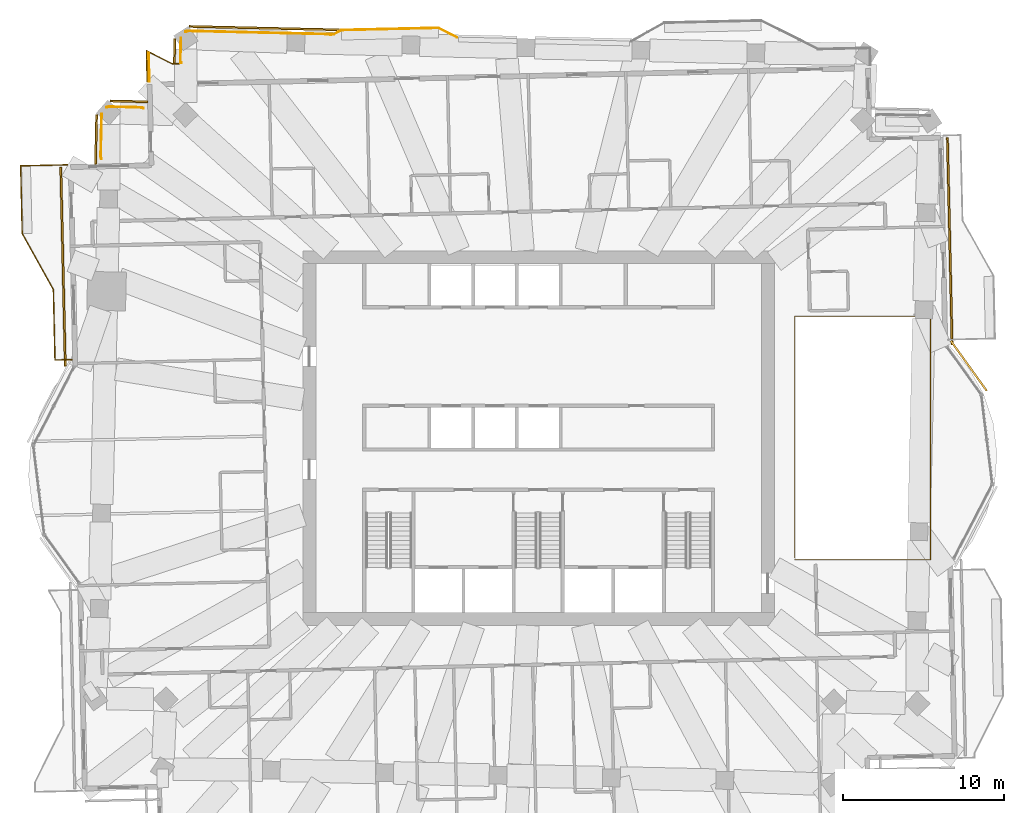
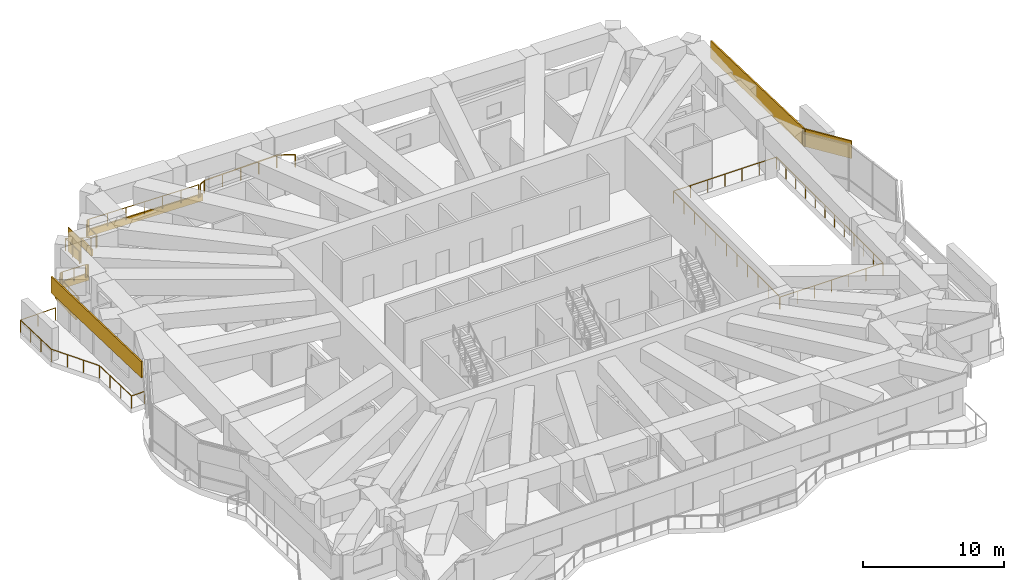
# One storey, part 18 of 19: 8 railings, 7 coverings, 1 shading device.
"""IFC4 building model written with IfcOpenShell, lengths in metres."""

from ifc_helpers import new_model, si_unit, direction, frame, frame_2d, origin, origin_2d, place, context, subcontext, project, spatial, rectangle, extrude, material, layer, layer_set, type_object, element, save


model = new_model("IFC4")

# Units and contexts
model_context = context("Model", 3, precision=1e-05, world=origin(), true_north=direction((0.0, 1.0)))
body_context = subcontext(model_context, "Body", "Model", "MODEL_VIEW")
ifc_project = project(units=[si_unit("LENGTHUNIT", "METRE"), si_unit("AREAUNIT", "SQUARE_METRE"), si_unit("VOLUMEUNIT", "CUBIC_METRE"), si_unit("PLANEANGLEUNIT", "RADIAN"), si_unit("MASSUNIT", "GRAM", prefix="KILO")], contexts=[model_context])

# Site, building, storey
site_placement = place(None, origin())
site = spatial("IfcSite", under=ifc_project, at=site_placement, CompositionType="ELEMENT")
building_placement = place(site_placement, origin())
building = spatial("IfcBuilding", under=site, at=building_placement, Name="Mangrove Gate Tower", CompositionType="ELEMENT")
storey_placement = place(building_placement, frame((0.0, 0.0, 226.5)))
storey = spatial("IfcBuildingStorey", under=building, at=storey_placement, Name="L57", CompositionType="ELEMENT", Elevation=226.5)

# Railings
ifc_material_1 = material(Name="Stainless steel grade 316 with laminated glass infill", Category="steel")
railing_type = type_object("IfcRailingType", Name="Balcony guard 1100", PredefinedType="GUARDRAIL", material=ifc_material_1)
railing_1_placement = place(storey_placement, frame((-5.050048828125, 24.820068359375, 0.0)))
element("IfcRailing", 1, at=railing_1_placement, inside=storey, type_object=railing_type, Name="GUARD L57 N2", PredefinedType="GUARDRAIL", context=body_context, shape_type="SweptSolid", body=[
    extrude(rectangle(XDim=0.048095703125, YDim=0.048095703125, at=origin_2d()), frame((0.0, 0.0, 1.076171875), z_axis=(-0.894577111724, 0.446913628321, 0.0), x_axis=(-0.446913628321, -0.894577111724, 0.0)), (0.0, 0.0, 1.0), 1.30224609375),
    extrude(rectangle(XDim=0.048095703125, YDim=0.048095703125, at=origin_2d()), frame((-1.1650390625, 0.58203125, 1.076171875), z_axis=(-0.999743073592, -0.022666865795, 0.0), x_axis=(0.022666865795, -0.999743073592, 0.0)), (0.0, 0.0, 1.0), 5.999267578125),
    extrude(rectangle(XDim=0.048095703125, YDim=0.048095703125, at=origin_2d()), frame((-7.162841796875, 0.446044921875, 1.076171875), z_axis=(-0.87313527032, -0.487477999219, 0.0), x_axis=(0.487477999219, -0.87313527032, 0.0)), (0.0, 0.0, 1.0), 0.5419921875),
    extrude(rectangle(XDim=0.0419921875, YDim=0.0419921875, at=origin_2d()), origin(), (0.0, 0.0, 1.0), 1.052001953125),
    extrude(rectangle(XDim=0.0419921875, YDim=0.0419921875, at=origin_2d()), frame((-1.1650390625, 0.58203125, 0.0)), (0.0, 0.0, 1.0), 1.052001953125),
    extrude(rectangle(XDim=0.0419921875, YDim=0.0419921875, at=origin_2d()), frame((-2.66455078125, 0.548095703125, 0.0)), (0.0, 0.0, 1.0), 1.052001953125),
    extrude(rectangle(XDim=0.0419921875, YDim=0.0419921875, at=origin_2d()), frame((-4.1640625, 0.51416015625, 0.0)), (0.0, 0.0, 1.0), 1.052001953125),
    extrude(rectangle(XDim=0.0419921875, YDim=0.0419921875, at=origin_2d()), frame((-5.663330078125, 0.47998046875, 0.0)), (0.0, 0.0, 1.0), 1.052001953125),
    extrude(rectangle(XDim=0.0419921875, YDim=0.0419921875, at=origin_2d()), frame((-7.162841796875, 0.446044921875, 0.0)), (0.0, 0.0, 1.0), 1.052001953125),
    extrude(rectangle(XDim=0.0419921875, YDim=0.0419921875, at=origin_2d()), frame((-7.635986328125, 0.181884765625, 0.0)), (0.0, 0.0, 1.0), 1.052001953125),
])
railing_2_placement = place(storey_placement, frame((-22.26611328125, 23.18701171875, 0.0)))
element("IfcRailing", 2, at=railing_2_placement, inside=storey, type_object=railing_type, Name="GUARD L57 N3", PredefinedType="GUARDRAIL", context=body_context, shape_type="SweptSolid", body=[
    extrude(rectangle(XDim=0.048095703125, YDim=0.048095703125, at=origin_2d()), frame((0.0, 0.0, 1.076171875), z_axis=(-0.999748671457, -0.022418606572, 0.0), x_axis=(0.022418606572, -0.999748671457, 0.0)), (0.0, 0.0, 1.0), 0.40283203125),
    extrude(rectangle(XDim=0.048095703125, YDim=0.048095703125, at=origin_2d()), frame((-0.40283203125, -0.009033203125, 1.076171875), z_axis=(-0.894211744323, 0.447644229623, 0.0), x_axis=(-0.447644229623, -0.894211744323, 0.0)), (0.0, 0.0, 1.0), 1.81396484375),
    extrude(rectangle(XDim=0.048095703125, YDim=0.048095703125, at=origin_2d()), frame((-2.02490234375, 0.802978515625, 1.076171875), z_axis=(0.022515084401, -0.999746503357, 0.0), x_axis=(0.999746503357, 0.022515084401, 0.0)), (0.0, 0.0, 1.0), 1.908447265625),
    extrude(rectangle(XDim=0.0419921875, YDim=0.0419921875, at=origin_2d()), origin(), (0.0, 0.0, 1.0), 1.052001953125),
    extrude(rectangle(XDim=0.0419921875, YDim=0.0419921875, at=origin_2d()), frame((-0.40283203125, -0.009033203125, 0.0)), (0.0, 0.0, 1.0), 1.052001953125),
    extrude(rectangle(XDim=0.0419921875, YDim=0.0419921875, at=origin_2d()), frame((-1.2138671875, 0.39697265625, 0.0)), (0.0, 0.0, 1.0), 1.052001953125),
    extrude(rectangle(XDim=0.0419921875, YDim=0.0419921875, at=origin_2d()), frame((-2.02490234375, 0.802978515625, 0.0)), (0.0, 0.0, 1.0), 1.052001953125),
    extrude(rectangle(XDim=0.0419921875, YDim=0.0419921875, at=origin_2d()), frame((-2.00341796875, -0.15087890625, 0.0)), (0.0, 0.0, 1.0), 1.052001953125),
    extrude(rectangle(XDim=0.0419921875, YDim=0.0419921875, at=origin_2d()), frame((-1.98193359375, -1.10498046875, 0.0)), (0.0, 0.0, 1.0), 1.052001953125),
])
railing_3_placement = place(storey_placement, frame((-29.173095703125, 16.928955078125, 0.0)))
element("IfcRailing", 3, at=railing_3_placement, inside=storey, type_object=railing_type, Name="GUARD L57 W1", PredefinedType="GUARDRAIL", context=body_context, shape_type="SweptSolid", body=[
    extrude(rectangle(XDim=0.048095703125, YDim=0.048095703125, at=origin_2d()), frame((0.0, 0.0, 1.076171875), z_axis=(-0.999743349437, -0.022654696127, 0.0), x_axis=(0.022654696127, -0.999743349437, 0.0)), (0.0, 0.0, 1.0), 2.90966796875),
    extrude(rectangle(XDim=0.048095703125, YDim=0.048095703125, at=origin_2d()), frame((-2.908935546875, -0.06591796875, 1.076171875), z_axis=(0.022611811187, -0.999744320311, 0.0), x_axis=(0.999744320311, 0.022611811187, 0.0)), (0.0, 0.0, 1.0), 4.199951171875),
    extrude(rectangle(XDim=0.048095703125, YDim=0.048095703125, at=origin_2d()), frame((-2.81396484375, -4.264892578125, 1.076171875), z_axis=(0.48726008209, -0.87325689943, 0.0), x_axis=(0.87325689943, 0.48726008209, 0.0)), (0.0, 0.0, 1.0), 3.958740234375),
    extrude(rectangle(XDim=0.048095703125, YDim=0.048095703125, at=origin_2d()), frame((-0.885009765625, -7.721923828125, 1.076171875), z_axis=(0.022883688867, -0.999738134105, 0.0), x_axis=(0.999738134105, 0.022883688867, 0.0)), (0.0, 0.0, 1.0), 4.374267578125),
    extrude(rectangle(XDim=0.048095703125, YDim=0.048095703125, at=origin_2d()), frame((-0.784912109375, -12.094970703125, 1.076171875), z_axis=(0.999744919731, 0.022585293253, 0.0), x_axis=(-0.022585293253, 0.999744919731, 0.0)), (0.0, 0.0, 1.0), 1.059326171875),
    extrude(rectangle(XDim=0.0419921875, YDim=0.0419921875, at=origin_2d()), origin(), (0.0, 0.0, 1.0), 1.052001953125),
    extrude(rectangle(XDim=0.0419921875, YDim=0.0419921875, at=origin_2d()), frame((-1.45458984375, -0.032958984375, 0.0)), (0.0, 0.0, 1.0), 1.052001953125),
    extrude(rectangle(XDim=0.0419921875, YDim=0.0419921875, at=origin_2d()), frame((-2.908935546875, -0.06591796875, 0.0)), (0.0, 0.0, 1.0), 1.052001953125),
    extrude(rectangle(XDim=0.0419921875, YDim=0.0419921875, at=origin_2d()), frame((-2.877197265625, -1.465576171875, 0.0)), (0.0, 0.0, 1.0), 1.052001953125),
    extrude(rectangle(XDim=0.0419921875, YDim=0.0419921875, at=origin_2d()), frame((-2.845703125, -2.865234375, 0.0)), (0.0, 0.0, 1.0), 1.052001953125),
    extrude(rectangle(XDim=0.0419921875, YDim=0.0419921875, at=origin_2d()), frame((-2.81396484375, -4.264892578125, 0.0)), (0.0, 0.0, 1.0), 1.052001953125),
    extrude(rectangle(XDim=0.0419921875, YDim=0.0419921875, at=origin_2d()), frame((-2.1708984375, -5.417236328125, 0.0)), (0.0, 0.0, 1.0), 1.052001953125),
    extrude(rectangle(XDim=0.0419921875, YDim=0.0419921875, at=origin_2d()), frame((-1.528076171875, -6.569580078125, 0.0)), (0.0, 0.0, 1.0), 1.052001953125),
    extrude(rectangle(XDim=0.0419921875, YDim=0.0419921875, at=origin_2d()), frame((-0.885009765625, -7.721923828125, 0.0)), (0.0, 0.0, 1.0), 1.052001953125),
    extrude(rectangle(XDim=0.0419921875, YDim=0.0419921875, at=origin_2d()), frame((-0.8515625, -9.1796875, 0.0)), (0.0, 0.0, 1.0), 1.052001953125),
    extrude(rectangle(XDim=0.0419921875, YDim=0.0419921875, at=origin_2d()), frame((-0.818359375, -10.63720703125, 0.0)), (0.0, 0.0, 1.0), 1.052001953125),
    extrude(rectangle(XDim=0.0419921875, YDim=0.0419921875, at=origin_2d()), frame((-0.784912109375, -12.094970703125, 0.0)), (0.0, 0.0, 1.0), 1.052001953125),
    extrude(rectangle(XDim=0.0419921875, YDim=0.0419921875, at=origin_2d()), frame((0.274169921875, -12.071044921875, 0.0)), (0.0, 0.0, 1.0), 1.052001953125),
])
railing_4_placement = place(storey_placement, frame((15.860107421875, -7.5400390625, 0.0)))
element("IfcRailing", 4, at=railing_4_placement, inside=storey, type_object=railing_type, Name="GUARD L57 atrium", PredefinedType="GUARDRAIL", context=body_context, shape_type="SweptSolid", body=[
    extrude(rectangle(XDim=0.048095703125, YDim=0.048095703125, at=origin_2d()), frame((0.0, 0.0, 1.076171875), z_axis=(1.0, 0.0, 0.0), x_axis=(0.0, 1.0, 0.0)), (0.0, 0.0, 1.0), 8.406982421875),
    extrude(rectangle(XDim=0.048095703125, YDim=0.048095703125, at=origin_2d()), frame((8.406982421875, 0.0, 1.076171875), z_axis=(0.0, 1.0, 0.0), x_axis=(-1.0, 0.0, 0.0)), (0.0, 0.0, 1.0), 15.080078125),
    extrude(rectangle(XDim=0.048095703125, YDim=0.048095703125, at=origin_2d()), frame((8.406982421875, 15.080078125, 1.076171875), z_axis=(-1.0, 0.0, 0.0), x_axis=(0.0, -1.0, 0.0)), (0.0, 0.0, 1.0), 8.406982421875),
    extrude(rectangle(XDim=0.048095703125, YDim=0.048095703125, at=origin_2d()), frame((0.0, 15.080078125, 1.076171875), z_axis=(0.0, -1.0, 0.0), x_axis=(1.0, 0.0, 0.0)), (0.0, 0.0, 1.0), 14.9599609375),
    extrude(rectangle(XDim=0.0419921875, YDim=0.0419921875, at=origin_2d()), origin(), (0.0, 0.0, 1.0), 1.052001953125),
    extrude(rectangle(XDim=0.0419921875, YDim=0.0419921875, at=origin_2d()), frame((1.401123046875, 0.0, 0.0)), (0.0, 0.0, 1.0), 1.052001953125),
    extrude(rectangle(XDim=0.0419921875, YDim=0.0419921875, at=origin_2d()), frame((2.80224609375, 0.0, 0.0)), (0.0, 0.0, 1.0), 1.052001953125),
    extrude(rectangle(XDim=0.0419921875, YDim=0.0419921875, at=origin_2d()), frame((4.20361328125, 0.0, 0.0)), (0.0, 0.0, 1.0), 1.052001953125),
    extrude(rectangle(XDim=0.0419921875, YDim=0.0419921875, at=origin_2d()), frame((5.604736328125, 0.0, 0.0)), (0.0, 0.0, 1.0), 1.052001953125),
    extrude(rectangle(XDim=0.0419921875, YDim=0.0419921875, at=origin_2d()), frame((7.005859375, 0.0, 0.0)), (0.0, 0.0, 1.0), 1.052001953125),
    extrude(rectangle(XDim=0.0419921875, YDim=0.0419921875, at=origin_2d()), frame((8.406982421875, 0.0, 0.0)), (0.0, 0.0, 1.0), 1.052001953125),
    extrude(rectangle(XDim=0.0419921875, YDim=0.0419921875, at=origin_2d()), frame((8.406982421875, 1.370849609375, 0.0)), (0.0, 0.0, 1.0), 1.052001953125),
    extrude(rectangle(XDim=0.0419921875, YDim=0.0419921875, at=origin_2d()), frame((8.406982421875, 2.741943359375, 0.0)), (0.0, 0.0, 1.0), 1.052001953125),
    extrude(rectangle(XDim=0.0419921875, YDim=0.0419921875, at=origin_2d()), frame((8.406982421875, 4.11279296875, 0.0)), (0.0, 0.0, 1.0), 1.052001953125),
    extrude(rectangle(XDim=0.0419921875, YDim=0.0419921875, at=origin_2d()), frame((8.406982421875, 5.483642578125, 0.0)), (0.0, 0.0, 1.0), 1.052001953125),
    extrude(rectangle(XDim=0.0419921875, YDim=0.0419921875, at=origin_2d()), frame((8.406982421875, 6.8544921875, 0.0)), (0.0, 0.0, 1.0), 1.052001953125),
    extrude(rectangle(XDim=0.0419921875, YDim=0.0419921875, at=origin_2d()), frame((8.406982421875, 8.2255859375, 0.0)), (0.0, 0.0, 1.0), 1.052001953125),
    extrude(rectangle(XDim=0.0419921875, YDim=0.0419921875, at=origin_2d()), frame((8.406982421875, 9.596435546875, 0.0)), (0.0, 0.0, 1.0), 1.052001953125),
    extrude(rectangle(XDim=0.0419921875, YDim=0.0419921875, at=origin_2d()), frame((8.406982421875, 10.96728515625, 0.0)), (0.0, 0.0, 1.0), 1.052001953125),
    extrude(rectangle(XDim=0.0419921875, YDim=0.0419921875, at=origin_2d()), frame((8.406982421875, 12.338134765625, 0.0)), (0.0, 0.0, 1.0), 1.052001953125),
    extrude(rectangle(XDim=0.0419921875, YDim=0.0419921875, at=origin_2d()), frame((8.406982421875, 13.709228515625, 0.0)), (0.0, 0.0, 1.0), 1.052001953125),
    extrude(rectangle(XDim=0.0419921875, YDim=0.0419921875, at=origin_2d()), frame((8.406982421875, 15.080078125, 0.0)), (0.0, 0.0, 1.0), 1.052001953125),
    extrude(rectangle(XDim=0.0419921875, YDim=0.0419921875, at=origin_2d()), frame((7.005859375, 15.080078125, 0.0)), (0.0, 0.0, 1.0), 1.052001953125),
    extrude(rectangle(XDim=0.0419921875, YDim=0.0419921875, at=origin_2d()), frame((5.604736328125, 15.080078125, 0.0)), (0.0, 0.0, 1.0), 1.052001953125),
    extrude(rectangle(XDim=0.0419921875, YDim=0.0419921875, at=origin_2d()), frame((4.20361328125, 15.080078125, 0.0)), (0.0, 0.0, 1.0), 1.052001953125),
    extrude(rectangle(XDim=0.0419921875, YDim=0.0419921875, at=origin_2d()), frame((2.80224609375, 15.080078125, 0.0)), (0.0, 0.0, 1.0), 1.052001953125),
    extrude(rectangle(XDim=0.0419921875, YDim=0.0419921875, at=origin_2d()), frame((1.401123046875, 15.080078125, 0.0)), (0.0, 0.0, 1.0), 1.052001953125),
    extrude(rectangle(XDim=0.0419921875, YDim=0.0419921875, at=origin_2d()), frame((0.0, 15.080078125, 0.0)), (0.0, 0.0, 1.0), 1.052001953125),
    extrude(rectangle(XDim=0.0419921875, YDim=0.0419921875, at=origin_2d()), frame((0.0, 13.583984375, 0.0)), (0.0, 0.0, 1.0), 1.052001953125),
    extrude(rectangle(XDim=0.0419921875, YDim=0.0419921875, at=origin_2d()), frame((0.0, 12.088134765625, 0.0)), (0.0, 0.0, 1.0), 1.052001953125),
    extrude(rectangle(XDim=0.0419921875, YDim=0.0419921875, at=origin_2d()), frame((0.0, 10.592041015625, 0.0)), (0.0, 0.0, 1.0), 1.052001953125),
    extrude(rectangle(XDim=0.0419921875, YDim=0.0419921875, at=origin_2d()), frame((0.0, 9.09619140625, 0.0)), (0.0, 0.0, 1.0), 1.052001953125),
    extrude(rectangle(XDim=0.0419921875, YDim=0.0419921875, at=origin_2d()), frame((0.0, 7.60009765625, 0.0)), (0.0, 0.0, 1.0), 1.052001953125),
    extrude(rectangle(XDim=0.0419921875, YDim=0.0419921875, at=origin_2d()), frame((0.0, 6.10400390625, 0.0)), (0.0, 0.0, 1.0), 1.052001953125),
    extrude(rectangle(XDim=0.0419921875, YDim=0.0419921875, at=origin_2d()), frame((0.0, 4.608154296875, 0.0)), (0.0, 0.0, 1.0), 1.052001953125),
    extrude(rectangle(XDim=0.0419921875, YDim=0.0419921875, at=origin_2d()), frame((0.0, 3.112060546875, 0.0)), (0.0, 0.0, 1.0), 1.052001953125),
    extrude(rectangle(XDim=0.0419921875, YDim=0.0419921875, at=origin_2d()), frame((0.0, 1.6162109375, 0.0)), (0.0, 0.0, 1.0), 1.052001953125),
    extrude(rectangle(XDim=0.0419921875, YDim=0.0419921875, at=origin_2d()), frame((0.0, 0.1201171875, 0.0)), (0.0, 0.0, 1.0), 1.052001953125),
])
railing_5_placement = place(storey_placement, frame((-21.860107421875, 25.166015625, 0.0)))
element("IfcRailing", 5, at=railing_5_placement, inside=storey, type_object=railing_type, Name="GUARD L57 T2.1", PredefinedType="GUARDRAIL", context=body_context, shape_type="SweptSolid", body=[
    extrude(rectangle(XDim=0.048095703125, YDim=0.048095703125, at=origin_2d()), frame((0.0, 0.0, 1.076171875), z_axis=(0.916361402872, 0.400352069216, 0.0), x_axis=(-0.400352069216, 0.916361402872, 0.0)), (0.0, 0.0, 1.0), 0.02734375),
    extrude(rectangle(XDim=0.048095703125, YDim=0.048095703125, at=origin_2d()), frame((0.025146484375, 0.010986328125, 1.076171875), z_axis=(0.945686599305, 0.325079768511, 0.0), x_axis=(-0.325079768511, 0.945686599305, 0.0)), (0.0, 0.0, 1.0), 0.049560546875),
    extrude(rectangle(XDim=0.048095703125, YDim=0.048095703125, at=origin_2d()), frame((0.072021484375, 0.027099609375, 1.076171875), z_axis=(0.980002479743, 0.198985275075, 0.0), x_axis=(-0.198985275075, 0.980002479743, 0.0)), (0.0, 0.0, 1.0), 0.049072265625),
    extrude(rectangle(XDim=0.048095703125, YDim=0.048095703125, at=origin_2d()), frame((0.1201171875, 0.036865234375, 1.076171875), z_axis=(0.992043715201, 0.125893872487, 0.0), x_axis=(-0.125893872487, 0.992043715201, 0.0)), (0.0, 0.0, 1.0), 0.048583984375),
    extrude(rectangle(XDim=0.048095703125, YDim=0.048095703125, at=origin_2d()), frame((0.168212890625, 0.04296875, 1.076171875), z_axis=(0.999200958722, 0.039968038349, 0.0), x_axis=(-0.039968038349, 0.999200958722, 0.0)), (0.0, 0.0, 1.0), 0.048828125),
    extrude(rectangle(XDim=0.048095703125, YDim=0.048095703125, at=origin_2d()), frame((0.217041015625, 0.044921875, 1.076171875), z_axis=(0.999742787852, -0.022679465101, 0.0), x_axis=(0.022679465101, 0.999742787852, 0.0)), (0.0, 0.0, 1.0), 8.859375),
    extrude(rectangle(XDim=0.048095703125, YDim=0.048095703125, at=origin_2d()), frame((9.07421875, -0.156005859375, 1.076171875), z_axis=(-0.873222183063, -0.487322294797, 0.0), x_axis=(0.487322294797, -0.873222183063, 0.0)), (0.0, 0.0, 1.0), 0.0986328125),
    extrude(rectangle(XDim=0.0419921875, YDim=0.0419921875, at=origin_2d()), origin(), (0.0, 0.0, 1.0), 1.052001953125),
    extrude(rectangle(XDim=0.0419921875, YDim=0.0419921875, at=origin_2d()), frame((0.025146484375, 0.010986328125, 0.0)), (0.0, 0.0, 1.0), 1.052001953125),
    extrude(rectangle(XDim=0.0419921875, YDim=0.0419921875, at=origin_2d()), frame((0.072021484375, 0.027099609375, 0.0)), (0.0, 0.0, 1.0), 1.052001953125),
    extrude(rectangle(XDim=0.0419921875, YDim=0.0419921875, at=origin_2d()), frame((0.1201171875, 0.036865234375, 0.0)), (0.0, 0.0, 1.0), 1.052001953125),
    extrude(rectangle(XDim=0.0419921875, YDim=0.0419921875, at=origin_2d()), frame((0.168212890625, 0.04296875, 0.0)), (0.0, 0.0, 1.0), 1.052001953125),
    extrude(rectangle(XDim=0.0419921875, YDim=0.0419921875, at=origin_2d()), frame((0.217041015625, 0.044921875, 0.0)), (0.0, 0.0, 1.0), 1.052001953125),
    extrude(rectangle(XDim=0.0419921875, YDim=0.0419921875, at=origin_2d()), frame((1.693359375, 0.011474609375, 0.0)), (0.0, 0.0, 1.0), 1.052001953125),
    extrude(rectangle(XDim=0.0419921875, YDim=0.0419921875, at=origin_2d()), frame((3.16943359375, -0.02197265625, 0.0)), (0.0, 0.0, 1.0), 1.052001953125),
    extrude(rectangle(XDim=0.0419921875, YDim=0.0419921875, at=origin_2d()), frame((4.6455078125, -0.0556640625, 0.0)), (0.0, 0.0, 1.0), 1.052001953125),
    extrude(rectangle(XDim=0.0419921875, YDim=0.0419921875, at=origin_2d()), frame((6.121826171875, -0.089111328125, 0.0)), (0.0, 0.0, 1.0), 1.052001953125),
    extrude(rectangle(XDim=0.0419921875, YDim=0.0419921875, at=origin_2d()), frame((7.59814453125, -0.12255859375, 0.0)), (0.0, 0.0, 1.0), 1.052001953125),
    extrude(rectangle(XDim=0.0419921875, YDim=0.0419921875, at=origin_2d()), frame((9.07421875, -0.156005859375, 0.0)), (0.0, 0.0, 1.0), 1.052001953125),
    extrude(rectangle(XDim=0.0419921875, YDim=0.0419921875, at=origin_2d()), frame((8.988037109375, -0.2041015625, 0.0)), (0.0, 0.0, 1.0), 1.052001953125),
])
railing_6_placement = place(storey_placement, frame((-22.136962890625, 23.25, 0.0)))
element("IfcRailing", 6, at=railing_6_placement, inside=storey, type_object=railing_type, Name="GUARD L57 T2.2", PredefinedType="GUARDRAIL", context=body_context, shape_type="SweptSolid", body=[
    extrude(rectangle(XDim=0.048095703125, YDim=0.048095703125, at=origin_2d()), frame((0.0, 0.0, 1.076171875), z_axis=(-0.999809691461, -0.019508481785, 0.0), x_axis=(0.019508481785, -0.999809691461, 0.0)), (0.0, 0.0, 1.0), 0.050048828125),
    extrude(rectangle(XDim=0.048095703125, YDim=0.048095703125, at=origin_2d()), frame((-0.050048828125, -0.0009765625, 1.076171875), z_axis=(0.022371326641, 0.999749730555, 0.0), x_axis=(-0.999749730555, 0.022371326641, 0.0)), (0.0, 0.0, 1.0), 1.473388671875),
    extrude(rectangle(XDim=0.048095703125, YDim=0.048095703125, at=origin_2d()), frame((-0.01708984375, 1.471923828125, 1.076171875), z_axis=(0.084276225487, 0.996442430759, 0.0), x_axis=(-0.996442430759, 0.084276225487, 0.0)), (0.0, 0.0, 1.0), 0.04931640625),
    extrude(rectangle(XDim=0.0419921875, YDim=0.0419921875, at=origin_2d()), origin(), (0.0, 0.0, 1.0), 1.052001953125),
    extrude(rectangle(XDim=0.0419921875, YDim=0.0419921875, at=origin_2d()), frame((-0.050048828125, -0.0009765625, 0.0)), (0.0, 0.0, 1.0), 1.052001953125),
    extrude(rectangle(XDim=0.0419921875, YDim=0.0419921875, at=origin_2d()), frame((-0.01708984375, 1.471923828125, 0.0)), (0.0, 0.0, 1.0), 1.052001953125),
    extrude(rectangle(XDim=0.0419921875, YDim=0.0419921875, at=origin_2d()), frame((-0.012939453125, 1.52099609375, 0.0)), (0.0, 0.0, 1.0), 1.052001953125),
])
railing_7_placement = place(storey_placement, frame((-26.76806640625, 20.47607421875, 0.0)))
element("IfcRailing", 7, at=railing_7_placement, inside=storey, type_object=railing_type, Name="GUARD L57 T4.1", PredefinedType="GUARDRAIL", context=body_context, shape_type="SweptSolid", body=[
    extrude(rectangle(XDim=0.048095703125, YDim=0.048095703125, at=origin_2d()), frame((0.0, 0.0, 1.076171875), z_axis=(0.921797458045, 0.38767182815, 0.0), x_axis=(-0.38767182815, 0.921797458045, 0.0)), (0.0, 0.0, 1.0), 0.0283203125),
    extrude(rectangle(XDim=0.048095703125, YDim=0.048095703125, at=origin_2d()), frame((0.026123046875, 0.010986328125, 1.076171875), z_axis=(0.945105546445, 0.326765215526, 0.0), x_axis=(-0.326765215526, 0.945105546445, 0.0)), (0.0, 0.0, 1.0), 0.048583984375),
    extrude(rectangle(XDim=0.048095703125, YDim=0.048095703125, at=origin_2d()), frame((0.072021484375, 0.02685546875, 1.076171875), z_axis=(0.974889210585, 0.222690428814, 0.0), x_axis=(-0.222690428814, 0.974889210585, 0.0)), (0.0, 0.0, 1.0), 0.04931640625),
    extrude(rectangle(XDim=0.048095703125, YDim=0.048095703125, at=origin_2d()), frame((0.1201171875, 0.037841796875, 1.076171875), z_axis=(0.992277876714, 0.124034734589, 0.0), x_axis=(-0.124034734589, 0.992277876714, 0.0)), (0.0, 0.0, 1.0), 0.04931640625),
    extrude(rectangle(XDim=0.048095703125, YDim=0.048095703125, at=origin_2d()), frame((0.1689453125, 0.0439453125, 1.076171875), z_axis=(0.999802043895, 0.019896558087, 0.0), x_axis=(-0.019896558087, 0.999802043895, 0.0)), (0.0, 0.0, 1.0), 0.049072265625),
    extrude(rectangle(XDim=0.048095703125, YDim=0.048095703125, at=origin_2d()), frame((0.218017578125, 0.044921875, 1.076171875), z_axis=(0.999745546006, -0.02255755397, 0.0), x_axis=(0.02255755397, 0.999745546006, 0.0)), (0.0, 0.0, 1.0), 1.861572265625),
    extrude(rectangle(XDim=0.048095703125, YDim=0.048095703125, at=origin_2d()), frame((2.0791015625, 0.0029296875, 1.076171875), z_axis=(0.996545758245, -0.083045479854, 0.0), x_axis=(0.083045479854, 0.996545758245, 0.0)), (0.0, 0.0, 1.0), 0.047119140625),
    extrude(rectangle(XDim=0.048095703125, YDim=0.048095703125, at=origin_2d()), frame((2.1259765625, -0.0009765625, 1.076171875), z_axis=(0.985695065614, -0.168538534535, 0.0), x_axis=(0.168538534535, 0.985695065614, 0.0)), (0.0, 0.0, 1.0), 0.0478515625),
    extrude(rectangle(XDim=0.048095703125, YDim=0.048095703125, at=origin_2d()), frame((2.173095703125, -0.009033203125, 1.076171875), z_axis=(0.967671910146, -0.252212359559, 0.0), x_axis=(0.252212359559, 0.967671910146, 0.0)), (0.0, 0.0, 1.0), 0.04736328125),
    extrude(rectangle(XDim=0.048095703125, YDim=0.048095703125, at=origin_2d()), frame((2.218994140625, -0.02099609375, 1.076171875), z_axis=(0.941857040061, -0.336013862941, 0.0), x_axis=(0.336013862941, 0.941857040061, 0.0)), (0.0, 0.0, 1.0), 0.0478515625),
    extrude(rectangle(XDim=0.048095703125, YDim=0.048095703125, at=origin_2d()), frame((2.26416015625, -0.037109375, 1.076171875), z_axis=(0.894427191, -0.4472135955, 0.0), x_axis=(0.4472135955, 0.894427191, 0.0)), (0.0, 0.0, 1.0), 0.033203125),
    extrude(rectangle(XDim=0.0419921875, YDim=0.0419921875, at=origin_2d()), origin(), (0.0, 0.0, 1.0), 1.052001953125),
    extrude(rectangle(XDim=0.0419921875, YDim=0.0419921875, at=origin_2d()), frame((0.026123046875, 0.010986328125, 0.0)), (0.0, 0.0, 1.0), 1.052001953125),
    extrude(rectangle(XDim=0.0419921875, YDim=0.0419921875, at=origin_2d()), frame((0.072021484375, 0.02685546875, 0.0)), (0.0, 0.0, 1.0), 1.052001953125),
    extrude(rectangle(XDim=0.0419921875, YDim=0.0419921875, at=origin_2d()), frame((0.1201171875, 0.037841796875, 0.0)), (0.0, 0.0, 1.0), 1.052001953125),
    extrude(rectangle(XDim=0.0419921875, YDim=0.0419921875, at=origin_2d()), frame((0.1689453125, 0.0439453125, 0.0)), (0.0, 0.0, 1.0), 1.052001953125),
    extrude(rectangle(XDim=0.0419921875, YDim=0.0419921875, at=origin_2d()), frame((0.218017578125, 0.044921875, 0.0)), (0.0, 0.0, 1.0), 1.052001953125),
    extrude(rectangle(XDim=0.0419921875, YDim=0.0419921875, at=origin_2d()), frame((1.1484375, 0.02392578125, 0.0)), (0.0, 0.0, 1.0), 1.052001953125),
    extrude(rectangle(XDim=0.0419921875, YDim=0.0419921875, at=origin_2d()), frame((2.0791015625, 0.0029296875, 0.0)), (0.0, 0.0, 1.0), 1.052001953125),
    extrude(rectangle(XDim=0.0419921875, YDim=0.0419921875, at=origin_2d()), frame((2.1259765625, -0.0009765625, 0.0)), (0.0, 0.0, 1.0), 1.052001953125),
    extrude(rectangle(XDim=0.0419921875, YDim=0.0419921875, at=origin_2d()), frame((2.173095703125, -0.009033203125, 0.0)), (0.0, 0.0, 1.0), 1.052001953125),
    extrude(rectangle(XDim=0.0419921875, YDim=0.0419921875, at=origin_2d()), frame((2.218994140625, -0.02099609375, 0.0)), (0.0, 0.0, 1.0), 1.052001953125),
    extrude(rectangle(XDim=0.0419921875, YDim=0.0419921875, at=origin_2d()), frame((2.26416015625, -0.037109375, 0.0)), (0.0, 0.0, 1.0), 1.052001953125),
    extrude(rectangle(XDim=0.0419921875, YDim=0.0419921875, at=origin_2d()), frame((2.2939453125, -0.052001953125, 0.0)), (0.0, 0.0, 1.0), 1.052001953125),
])
railing_8_placement = place(storey_placement, frame((-27.073974609375, 17.281005859375, 0.0)))
element("IfcRailing", 8, at=railing_8_placement, inside=storey, type_object=railing_type, Name="GUARD L57 T4.2", PredefinedType="GUARDRAIL", context=body_context, shape_type="SweptSolid", body=[
    extrude(rectangle(XDim=0.048095703125, YDim=0.048095703125, at=origin_2d()), frame((0.0, 0.0, 1.076171875), z_axis=(-0.411288866935, 0.911505056451, 0.0), x_axis=(-0.911505056451, -0.411288866935, 0.0)), (0.0, 0.0, 1.0), 0.02197265625),
    extrude(rectangle(XDim=0.048095703125, YDim=0.048095703125, at=origin_2d()), frame((-0.009033203125, 0.02001953125, 1.076171875), z_axis=(-0.334820934911, 0.942281773964, 0.0), x_axis=(-0.942281773964, -0.334820934911, 0.0)), (0.0, 0.0, 1.0), 0.051025390625),
    extrude(rectangle(XDim=0.048095703125, YDim=0.048095703125, at=origin_2d()), frame((-0.026123046875, 0.068115234375, 1.076171875), z_axis=(-0.219512195122, 0.975609756098, 0.0), x_axis=(-0.975609756098, -0.219512195122, 0.0)), (0.0, 0.0, 1.0), 0.050048828125),
    extrude(rectangle(XDim=0.048095703125, YDim=0.048095703125, at=origin_2d()), frame((-0.037109375, 0.116943359375, 1.076171875), z_axis=(-0.13532888071, 0.990800733773, 0.0), x_axis=(-0.990800733773, -0.13532888071, 0.0)), (0.0, 0.0, 1.0), 0.050537109375),
    extrude(rectangle(XDim=0.048095703125, YDim=0.048095703125, at=origin_2d()), frame((-0.0439453125, 0.1669921875, 1.076171875), z_axis=(-0.019135251757, 0.999816904308, 0.0), x_axis=(-0.999816904308, -0.019135251757, 0.0)), (0.0, 0.0, 1.0), 0.051025390625),
    extrude(rectangle(XDim=0.048095703125, YDim=0.048095703125, at=origin_2d()), frame((-0.044921875, 0.218017578125, 1.076171875), z_axis=(0.022452170116, 0.999747918256, 0.0), x_axis=(-0.999747918256, 0.022452170116, 0.0)), (0.0, 0.0, 1.0), 2.53369140625),
    extrude(rectangle(XDim=0.048095703125, YDim=0.048095703125, at=origin_2d()), frame((0.011962890625, 2.7509765625, 1.076171875), z_axis=(0.079350984209, 0.996846739125, 0.0), x_axis=(-0.996846739125, 0.079350984209, 0.0)), (0.0, 0.0, 1.0), 0.04931640625),
    extrude(rectangle(XDim=0.0419921875, YDim=0.0419921875, at=origin_2d()), origin(), (0.0, 0.0, 1.0), 1.052001953125),
    extrude(rectangle(XDim=0.0419921875, YDim=0.0419921875, at=origin_2d()), frame((-0.009033203125, 0.02001953125, 0.0)), (0.0, 0.0, 1.0), 1.052001953125),
    extrude(rectangle(XDim=0.0419921875, YDim=0.0419921875, at=origin_2d()), frame((-0.026123046875, 0.068115234375, 0.0)), (0.0, 0.0, 1.0), 1.052001953125),
    extrude(rectangle(XDim=0.0419921875, YDim=0.0419921875, at=origin_2d()), frame((-0.037109375, 0.116943359375, 0.0)), (0.0, 0.0, 1.0), 1.052001953125),
    extrude(rectangle(XDim=0.0419921875, YDim=0.0419921875, at=origin_2d()), frame((-0.0439453125, 0.1669921875, 0.0)), (0.0, 0.0, 1.0), 1.052001953125),
    extrude(rectangle(XDim=0.0419921875, YDim=0.0419921875, at=origin_2d()), frame((-0.044921875, 0.218017578125, 0.0)), (0.0, 0.0, 1.0), 1.052001953125),
    extrude(rectangle(XDim=0.0419921875, YDim=0.0419921875, at=origin_2d()), frame((-0.0166015625, 1.484375, 0.0)), (0.0, 0.0, 1.0), 1.052001953125),
    extrude(rectangle(XDim=0.0419921875, YDim=0.0419921875, at=origin_2d()), frame((0.011962890625, 2.7509765625, 0.0)), (0.0, 0.0, 1.0), 1.052001953125),
    extrude(rectangle(XDim=0.0419921875, YDim=0.0419921875, at=origin_2d()), frame((0.015869140625, 2.800048828125, 0.0)), (0.0, 0.0, 1.0), 1.052001953125),
])

# Shading device
ifc_material_2 = material(Name="Timber slat screen in teak", Category="wood")
shading_device_type = type_object("IfcShadingDeviceType", Name="Balcony screen 2100", PredefinedType="USERDEFINED", material=ifc_material_2)
shading_device_placement = place(storey_placement, frame((-24.1279296875, 22.958984375, 0.0), z_axis=(0.0, 0.0, 1.0), x_axis=(-0.022634987141, 0.999743795858, 0.0)))
element("IfcShadingDevice", 9, at=shading_device_placement, inside=storey, type_object=shading_device_type, Name="SCREEN L57 N1", ObjectType="SCREEN", PredefinedType="USERDEFINED", context=body_context, shape_type="SweptSolid", body=[
    extrude(rectangle(XDim=1.7890625, YDim=0.050048828125, at=origin_2d()), origin(), (0.0, 0.0, 1.0), 2.10009765625),
])

# Coverings
ifc_material_3 = material(Name="Limestone", Category="masonry")
ifc_layer_1 = layer(ifc_material_3, 0.0400390625, Name="Limestone cladding")
ifc_material_4 = material(Name="Stainless steel anchors and cavity", Category="steel")
ifc_layer_2 = layer(ifc_material_4, 0.080078125, Name="Fixing cavity")
ifc_layer_set = layer_set([ifc_layer_1, ifc_layer_2], Name="Joint fascia cladding 120")
covering_type = type_object("IfcCoveringType", Name="Joint fascia cladding 120", PredefinedType="CLADDING", material=ifc_layer_set)
covering_1_placement = place(storey_placement, frame((27.758056640625, 2.925048828125, 2.550048828125), z_axis=(0.0, 0.0, 1.0), x_axis=(-0.583589908625, 0.81204853214, 0.0)))
element("IfcCovering", 10, at=covering_1_placement, inside=storey, type_object=covering_type, Name="STONE FASCIA L57 E1.L2", PredefinedType="CLADDING", context=body_context, shape_type="SweptSolid", body=[
    extrude(rectangle(XDim=3.816162109375, YDim=0.1201171875, at=frame_2d((1.908203125, 0.0))), origin(), (0.0, 0.0, 1.0), 1.5),
])
covering_2_placement = place(storey_placement, frame((25.613037109375, 5.7900390625, 2.550048828125), z_axis=(0.0, 0.0, 1.0), x_axis=(-0.022683797201, 0.999742689568, 0.0)))
element("IfcCovering", 11, at=covering_2_placement, inside=storey, type_object=covering_type, Name="STONE FASCIA L57 E2.1", PredefinedType="CLADDING", context=body_context, shape_type="SweptSolid", body=[
    extrude(rectangle(XDim=12.829345703125, YDim=0.1201171875, at=frame_2d((6.41455078125, 0.0))), origin(), (0.0, 0.0, 1.0), 1.5),
])
covering_3_placement = place(storey_placement, frame((-29.595947265625, 16.77001953125, 2.64990234375), z_axis=(0.0, 0.0, 1.0), x_axis=(0.022720954988, -0.99974184578, 0.0)))
element("IfcCovering", 12, at=covering_3_placement, inside=storey, type_object=covering_type, Name="STONE FASCIA L57 W8.1", PredefinedType="CLADDING", context=body_context, shape_type="SweptSolid", body=[
    extrude(rectangle(XDim=12.31396484375, YDim=0.1201171875, at=frame_2d((6.156982421875, 0.0))), origin(), (0.0, 0.0, 1.0), 1.400146484375),
])
covering_4_placement = place(storey_placement, frame((-21.635986328125, 25.4970703125, -0.60009765625), z_axis=(0.0, 0.0, 1.0), x_axis=(0.999742689738, -0.0226837897, 0.0)))
element("IfcCovering", 13, at=covering_4_placement, inside=storey, type_object=covering_type, Name="STONE FASCIA L57 TB72-1.1", PredefinedType="CLADDING", context=body_context, shape_type="SweptSolid", body=[
    extrude(rectangle(XDim=9.288330078125, YDim=0.1201171875, at=frame_2d((4.64404296875, 0.0))), origin(), (0.0, 0.0, 1.0), 0.60009765625),
])
covering_5_placement = place(storey_placement, frame((-22.562744140625, 23.22607421875, -0.60009765625), z_axis=(0.0, 0.0, 1.0), x_axis=(0.02238245108, 0.999749481562, 0.0)))
element("IfcCovering", 14, at=covering_5_placement, inside=storey, type_object=covering_type, Name="STONE FASCIA L57 TB72-2.1", PredefinedType="CLADDING", context=body_context, shape_type="SweptSolid", body=[
    extrude(rectangle(XDim=1.50537109375, YDim=0.1201171875, at=frame_2d((0.752685546875, 0.0))), origin(), (0.0, 0.0, 1.0), 0.60009765625),
])
covering_6_placement = place(storey_placement, frame((-26.5419921875, 20.881103515625, -0.60009765625), z_axis=(0.0, 0.0, 1.0), x_axis=(0.999744058016, -0.022623405165, 0.0)))
element("IfcCovering", 15, at=covering_6_placement, inside=storey, type_object=covering_type, Name="STONE FASCIA L57 TB74-1.1", PredefinedType="CLADDING", context=body_context, shape_type="SweptSolid", body=[
    extrude(rectangle(XDim=2.320068359375, YDim=0.1201171875, at=frame_2d((1.16015625, 0.0))), origin(), (0.0, 0.0, 1.0), 0.60009765625),
])
covering_7_placement = place(storey_placement, frame((-27.444091796875, 16.970947265625, -0.60009765625), z_axis=(0.0, 0.0, 1.0), x_axis=(0.022513588763, 0.999746537039, 0.0)))
element("IfcCovering", 16, at=covering_7_placement, inside=storey, type_object=covering_type, Name="STONE FASCIA L57 TB74-2.1", PredefinedType="CLADDING", context=body_context, shape_type="SweptSolid", body=[
    extrude(rectangle(XDim=3.06884765625, YDim=0.1201171875, at=frame_2d((1.534423828125, 0.0))), origin(), (0.0, 0.0, 1.0), 0.60009765625),
])

save(model, "model.ifc")
